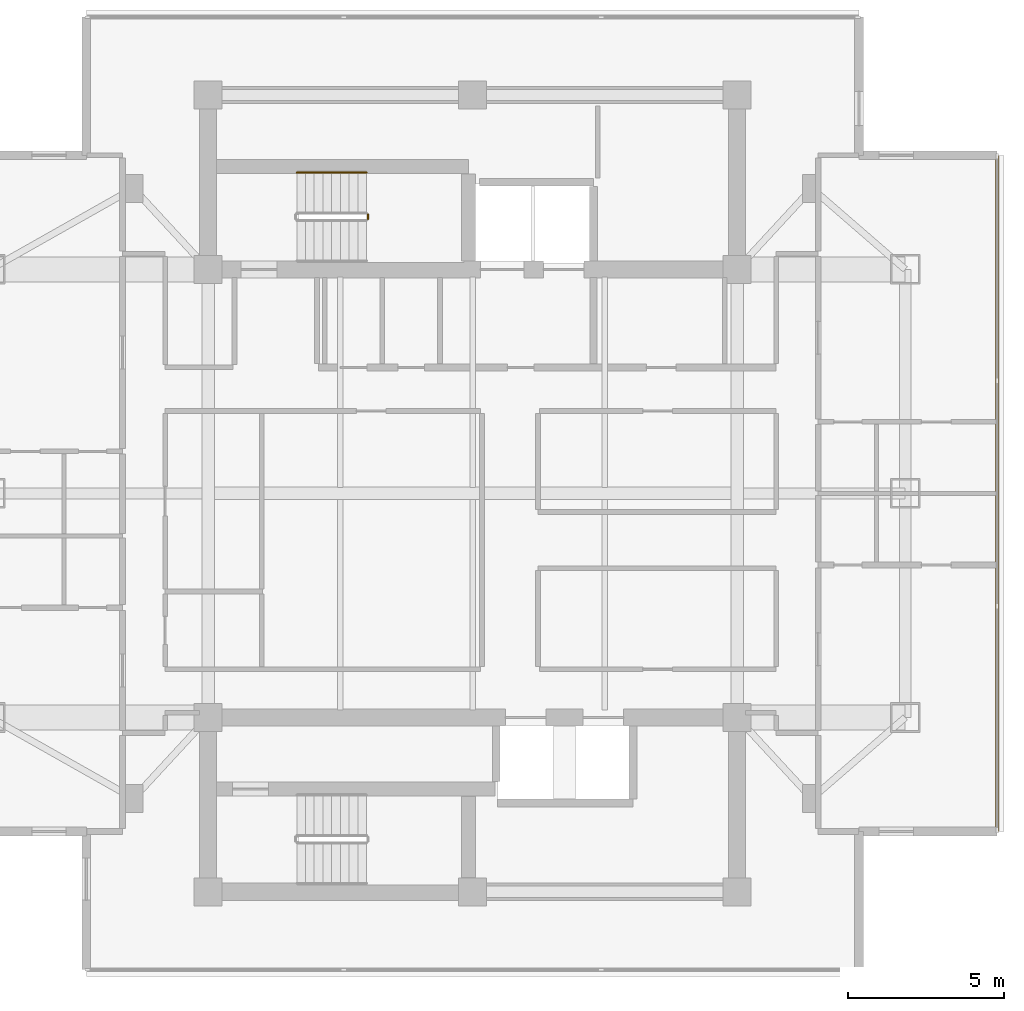
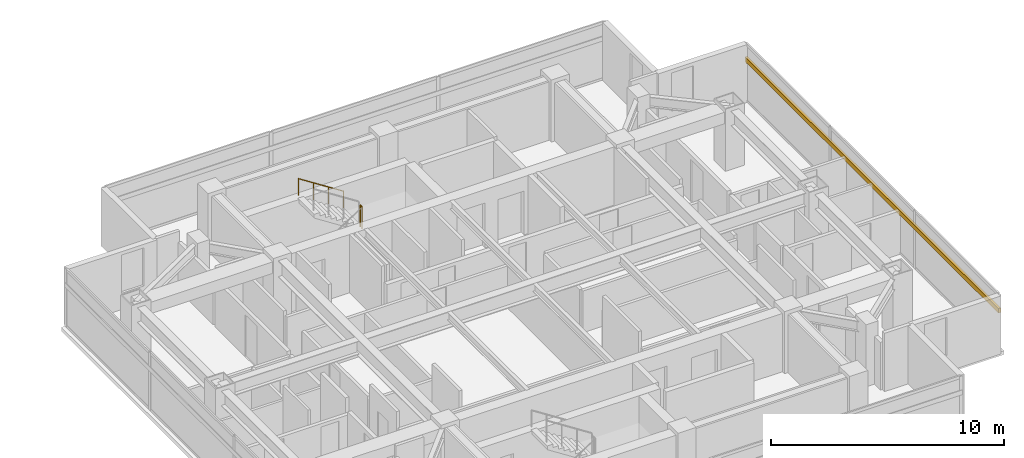
# One storey, part 23 of 24: 2 railings, 1 shading device.
"""IFC4 building model written with IfcOpenShell, lengths in metres."""

from ifc_helpers import new_model, si_unit, direction, frame, origin, origin_2d, place, context, subcontext, project, spatial, rectangle, circle, extrude, material, material_profile, profile_set, type_object, element, save


model = new_model("IFC4")

# Units and contexts
model_context = context("Model", 3, precision=1e-05, world=origin(), true_north=direction((0.0, 1.0)))
body_context = subcontext(model_context, "Body", "Model", "MODEL_VIEW")
ifc_project = project(units=[si_unit("LENGTHUNIT", "METRE"), si_unit("AREAUNIT", "SQUARE_METRE"), si_unit("VOLUMEUNIT", "CUBIC_METRE"), si_unit("PLANEANGLEUNIT", "RADIAN"), si_unit("MASSUNIT", "GRAM", prefix="KILO")], contexts=[model_context])

# Site, building, storey
site_placement = place(None, origin())
site = spatial("IfcSite", under=ifc_project, at=site_placement, CompositionType="ELEMENT")
building_placement = place(site_placement, origin())
building = spatial("IfcBuilding", under=site, at=building_placement, Name="Mirazonda Arch Towers", CompositionType="ELEMENT")
storey_placement = place(building_placement, frame((0.0, 0.0, 190.14990234375)))
storey = spatial("IfcBuildingStorey", under=building, at=storey_placement, Name="L54", CompositionType="ELEMENT", Elevation=190.14990234375)

# Shading device
ifc_material_1 = material(Name="Kiln-Fired Architectural Terracotta", Category="masonry")
ifc_material_profile = material_profile(ifc_material_1, rectangle(XDim=0.1201171875, YDim=0.239990234375, at=origin_2d()), Name="TERRA-BAG-120x240")
ifc_profile_set = profile_set([ifc_material_profile], Name="Kiln-Fired Architectural Terracotta")
shading_device_type = type_object("IfcShadingDeviceType", Name="BAGUETTE-1", PredefinedType="USERDEFINED", material=ifc_profile_set)
shading_device_placement = place(storey_placement, frame((93.353515625, 17.134521484375, 2.181640625), z_axis=(0.0, 1.0, 0.0), x_axis=(-1.0, 0.0, 0.0)))
element("IfcShadingDevice", 1, at=shading_device_placement, inside=storey, type_object=shading_device_type, Name="L54 Glazed Terracotta Sun-Screen Baguette CW-L54-T2-E", ObjectType="BAGUETTE", PredefinedType="USERDEFINED", context=body_context, shape_type="SweptSolid", body=[
    extrude(rectangle(XDim=0.1201171875, YDim=0.239990234375, at=origin_2d()), origin(), (0.0, 0.0, 1.0), 21.73095703125),
])

# Railings
ifc_material_2 = material(Name="Architectural Brushed Steel S355", Category="steel")
railing_type_1 = type_object("IfcRailingType", Name="GUARD-STAIR-1120", PredefinedType="GUARDRAIL", material=ifc_material_2)
railing_1_placement = place(storey_placement, frame((73.139892578125, 36.820068359375, 1.625)))
element("IfcRailing", 2, at=railing_1_placement, inside=storey, type_object=railing_type_1, Name="L54 ST-T2N stair guard 2", PredefinedType="GUARDRAIL", context=body_context, shape_type="SweptSolid", body=[
    extrude(circle(Radius=0.02392578125, at=origin_2d()), frame((0.0, 0.0, 1.1259765625), z_axis=(0.0, 1.0, 0.0), x_axis=(-1.0, 0.0, 0.0)), (0.0, 0.0, 1.0), 0.139892578125),
    extrude(circle(Radius=0.02099609375, at=origin_2d()), origin(), (0.0, 0.0, 1.0), 1.101806640625),
    extrude(circle(Radius=0.02099609375, at=origin_2d()), frame((0.0, 0.139892578125, 0.0)), (0.0, 0.0, 1.0), 1.101806640625),
])
railing_type_2 = type_object("IfcRailingType", Name="HANDRAIL-915", PredefinedType="HANDRAIL", material=ifc_material_2)
railing_2_placement = place(storey_placement, frame((73.090087890625, 38.31005859375, 1.8056640625)))
element("IfcRailing", 3, at=railing_2_placement, inside=storey, type_object=railing_type_2, Name="L54 ST-T2N stair handrail 2", PredefinedType="HANDRAIL", context=body_context, shape_type="SweptSolid", body=[
    extrude(circle(Radius=0.02392578125, at=origin_2d()), frame((0.0, 0.0, 0.8759765625), z_axis=(-0.840436612492, 0.0, 0.541909863706), x_axis=(0.0, -1.0, 0.0)), (0.0, 0.0, 1.0), 2.665283203125),
    extrude(circle(Radius=0.02099609375, at=origin_2d()), origin(), (0.0, 0.0, 1.0), 0.851806640625),
    extrude(circle(Radius=0.02099609375, at=origin_2d()), frame((-0.74658203125, 0.0, 0.4814453125)), (0.0, 0.0, 1.0), 0.851806640625),
    extrude(circle(Radius=0.02099609375, at=origin_2d()), frame((-1.493408203125, 0.0, 0.962890625)), (0.0, 0.0, 1.0), 0.851806640625),
    extrude(circle(Radius=0.02099609375, at=origin_2d()), frame((-2.239990234375, 0.0, 1.4443359375)), (0.0, 0.0, 1.0), 0.851806640625),
])

save(model, "model.ifc")
